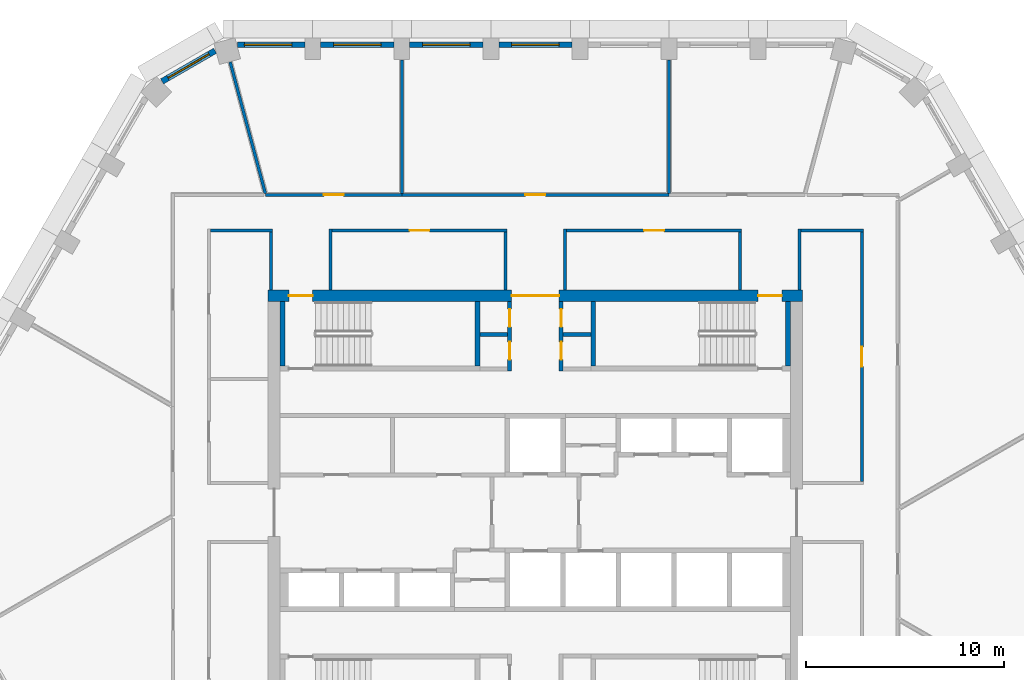
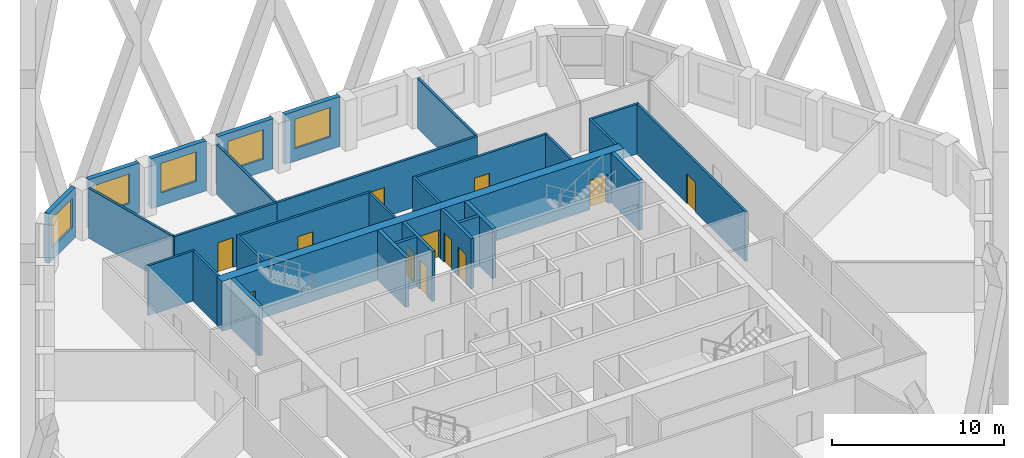
# One storey, part 6 of 16: 30 walls, 12 doors, 5 windows, 17 openings.
"""IFC4 building model written with IfcOpenShell, lengths in metres."""

from ifc_helpers import new_model, si_unit, direction, frame, frame_2d, origin, place, context, subcontext, project, spatial, rectangle, extrude, material, layer, layer_set, type_object, element, fill, save


model = new_model("IFC4")

# Units and contexts
model_context = context("Model", 3, precision=1e-05, world=origin(), true_north=direction((0.0, 1.0)))
body_context = subcontext(model_context, "Body", "Model", "MODEL_VIEW")
ifc_project = project(units=[si_unit("LENGTHUNIT", "METRE"), si_unit("AREAUNIT", "SQUARE_METRE"), si_unit("VOLUMEUNIT", "CUBIC_METRE"), si_unit("PLANEANGLEUNIT", "RADIAN"), si_unit("MASSUNIT", "GRAM", prefix="KILO")], contexts=[model_context])

# Site, building, storey
site_placement = place(None, origin())
site = spatial("IfcSite", under=ifc_project, at=site_placement, CompositionType="ELEMENT")
building_placement = place(site_placement, origin())
building = spatial("IfcBuilding", under=site, at=building_placement, Name="Dhurran Vertical Campus", CompositionType="ELEMENT")
storey_placement = place(building_placement, frame((0.0, 0.0, 183.89990234375)))
storey = spatial("IfcBuildingStorey", under=building, at=storey_placement, Name="L45", CompositionType="ELEMENT", Elevation=183.89990234375)

# Wall, opening, window
ifc_material_1 = material(Name="Precast concrete C50/60", Category="concrete")
ifc_layer_1 = layer(ifc_material_1, 0.300048828125)
ifc_layer_set_1 = layer_set([ifc_layer_1], Name="Precast concrete C50/60")
wall_type_1 = type_object("IfcWallType", Name="Precast spandrel wall 300", PredefinedType="SOLIDWALL", material=ifc_layer_set_1)
wall_1_placement = place(storey_placement, frame((1.849609375, 23.635498046875, 0.0), z_axis=(0.0, 0.0, 1.0), x_axis=(-1.0, 0.0, 0.0)))
wall_1 = element("IfcWall", 1, at=wall_1_placement, inside=storey, type_object=wall_type_1, Name="EW1 L45.23", PredefinedType="SOLIDWALL", context=body_context, shape_type="SweptSolid", body=[
    extrude(rectangle(XDim=3.69921875, YDim=0.300048828125, at=frame_2d((1.849609375, 0.0))), origin(), (0.0, 0.0, 1.0), 3.550048828125),
])
opening_1_placement = place(wall_1_placement, frame((0.6494140625, 0.0, 0.89990234375)))
opening_1 = element("IfcOpeningElement", 2, at=opening_1_placement, cuts=wall_1, Name="Opening WT1", PredefinedType="OPENING", context=body_context, shape_type="SweptSolid", body=[
    extrude(rectangle(XDim=2.39990234375, YDim=2.10009765625, at=frame_2d((1.199951171875, 1.050048828125))), frame((0.0, 0.159912109375, 0.0), z_axis=(0.0, -1.0, 0.0), x_axis=(1.0, 0.0, 0.0)), (0.0, 0.0, 1.0), 0.320068359375),
])
ifc_material_2 = material(Name="Aluminium frame with solar-control glass", Category="aluminium")
window_type = type_object("IfcWindowType", Name="Punched window 2400 x 2100", PartitioningType="SINGLE_PANEL", PredefinedType="WINDOW", material=ifc_material_2)
window_1_placement = place(opening_1_placement, origin())
window_1 = element("IfcWindow", 3, at=window_1_placement, inside=storey, type_object=window_type, Name="WT1 L45.23", OverallHeight=2.10009765625, OverallWidth=2.39990234375, PartitioningType="SINGLE_PANEL", PredefinedType="WINDOW", context=body_context, shape_type="SweptSolid", body=[
    extrude(rectangle(XDim=2.39990234375, YDim=2.10009765625, at=frame_2d((1.199951171875, 1.050048828125))), frame((0.0, 0.030029296875, 0.0), z_axis=(0.0, -1.0, 0.0), x_axis=(1.0, 0.0, 0.0)), (0.0, 0.0, 1.0), 0.06005859375),
])
fill(opening_1, window_1)

wall_2_placement = place(storey_placement, frame((-2.650390625, 23.635498046875, 0.0), z_axis=(0.0, 0.0, 1.0), x_axis=(-1.0, 0.0, 0.0)))
wall_2 = element("IfcWall", 4, at=wall_2_placement, inside=storey, type_object=wall_type_1, Name="EW1 L45.24", PredefinedType="SOLIDWALL", context=body_context, shape_type="SweptSolid", body=[
    extrude(rectangle(XDim=3.69921875, YDim=0.300048828125, at=frame_2d((1.849609375, 0.0))), origin(), (0.0, 0.0, 1.0), 3.550048828125),
])
opening_2_placement = place(wall_2_placement, frame((0.6494140625, 0.0, 0.89990234375)))
opening_2 = element("IfcOpeningElement", 5, at=opening_2_placement, cuts=wall_2, Name="Opening WT1", PredefinedType="OPENING", context=body_context, shape_type="SweptSolid", body=[
    extrude(rectangle(XDim=2.39990234375, YDim=2.10009765625, at=frame_2d((1.199951171875, 1.050048828125))), frame((0.0, 0.159912109375, 0.0), z_axis=(0.0, -1.0, 0.0), x_axis=(1.0, 0.0, 0.0)), (0.0, 0.0, 1.0), 0.320068359375),
])
window_2_placement = place(opening_2_placement, origin())
window_2 = element("IfcWindow", 6, at=window_2_placement, inside=storey, type_object=window_type, Name="WT1 L45.24", OverallHeight=2.10009765625, OverallWidth=2.39990234375, PartitioningType="SINGLE_PANEL", PredefinedType="WINDOW", context=body_context, shape_type="SweptSolid", body=[
    extrude(rectangle(XDim=2.39990234375, YDim=2.10009765625, at=frame_2d((1.199951171875, 1.050048828125))), frame((0.0, 0.030029296875, 0.0), z_axis=(0.0, -1.0, 0.0), x_axis=(1.0, 0.0, 0.0)), (0.0, 0.0, 1.0), 0.06005859375),
])
fill(opening_2, window_2)

wall_3_placement = place(storey_placement, frame((-7.150390625, 23.635498046875, 0.0), z_axis=(0.0, 0.0, 1.0), x_axis=(-1.0, 0.0, 0.0)))
wall_3 = element("IfcWall", 7, at=wall_3_placement, inside=storey, type_object=wall_type_1, Name="EW1 L45.25", PredefinedType="SOLIDWALL", context=body_context, shape_type="SweptSolid", body=[
    extrude(rectangle(XDim=3.69921875, YDim=0.300048828125, at=frame_2d((1.849609375, 0.0))), origin(), (0.0, 0.0, 1.0), 3.550048828125),
])
opening_3_placement = place(wall_3_placement, frame((0.6494140625, 0.0, 0.89990234375)))
opening_3 = element("IfcOpeningElement", 8, at=opening_3_placement, cuts=wall_3, Name="Opening WT1", PredefinedType="OPENING", context=body_context, shape_type="SweptSolid", body=[
    extrude(rectangle(XDim=2.39990234375, YDim=2.10009765625, at=frame_2d((1.199951171875, 1.050048828125))), frame((0.0, 0.159912109375, 0.0), z_axis=(0.0, -1.0, 0.0), x_axis=(1.0, 0.0, 0.0)), (0.0, 0.0, 1.0), 0.320068359375),
])
window_3_placement = place(opening_3_placement, origin())
window_3 = element("IfcWindow", 9, at=window_3_placement, inside=storey, type_object=window_type, Name="WT1 L45.25", OverallHeight=2.10009765625, OverallWidth=2.39990234375, PartitioningType="SINGLE_PANEL", PredefinedType="WINDOW", context=body_context, shape_type="SweptSolid", body=[
    extrude(rectangle(XDim=2.39990234375, YDim=2.10009765625, at=frame_2d((1.199951171875, 1.050048828125))), frame((0.0, 0.030029296875, 0.0), z_axis=(0.0, -1.0, 0.0), x_axis=(1.0, 0.0, 0.0)), (0.0, 0.0, 1.0), 0.06005859375),
])
fill(opening_3, window_3)

wall_4_placement = place(storey_placement, frame((-11.650390625, 23.635498046875, 0.0), z_axis=(0.0, 0.0, 1.0), x_axis=(-1.0, 0.0, 0.0)))
wall_4 = element("IfcWall", 10, at=wall_4_placement, inside=storey, type_object=wall_type_1, Name="EW1 L45.26", PredefinedType="SOLIDWALL", context=body_context, shape_type="SweptSolid", body=[
    extrude(rectangle(XDim=3.39599609375, YDim=0.300048828125, at=frame_2d((1.697998046875, 0.0))), origin(), (0.0, 0.0, 1.0), 3.550048828125),
])
opening_4_placement = place(wall_4_placement, frame((0.6494140625, 0.0, 0.89990234375)))
opening_4 = element("IfcOpeningElement", 11, at=opening_4_placement, cuts=wall_4, Name="Opening WT1", PredefinedType="OPENING", context=body_context, shape_type="SweptSolid", body=[
    extrude(rectangle(XDim=2.39990234375, YDim=2.10009765625, at=frame_2d((1.199951171875, 1.050048828125))), frame((0.0, 0.159912109375, 0.0), z_axis=(0.0, -1.0, 0.0), x_axis=(1.0, 0.0, 0.0)), (0.0, 0.0, 1.0), 0.320068359375),
])
window_4_placement = place(opening_4_placement, origin())
window_4 = element("IfcWindow", 12, at=window_4_placement, inside=storey, type_object=window_type, Name="WT1 L45.26", OverallHeight=2.10009765625, OverallWidth=2.39990234375, PartitioningType="SINGLE_PANEL", PredefinedType="WINDOW", context=body_context, shape_type="SweptSolid", body=[
    extrude(rectangle(XDim=2.39990234375, YDim=2.10009765625, at=frame_2d((1.199951171875, 1.050048828125))), frame((0.0, 0.030029296875, 0.0), z_axis=(0.0, -1.0, 0.0), x_axis=(1.0, 0.0, 0.0)), (0.0, 0.0, 1.0), 0.06005859375),
])
fill(opening_4, window_4)

wall_5_placement = place(storey_placement, frame((-16.184326171875, 23.330810546875, 0.0), z_axis=(0.0, 0.0, 1.0), x_axis=(-0.865994975416, -0.500052699777, 0.0)))
wall_5 = element("IfcWall", 13, at=wall_5_placement, inside=storey, type_object=wall_type_1, Name="EW1 L45.27", PredefinedType="SOLIDWALL", context=body_context, shape_type="SweptSolid", body=[
    extrude(rectangle(XDim=3.093017578125, YDim=0.300048828125, at=frame_2d((1.54638671875, 0.0))), origin(), (0.0, 0.0, 1.0), 3.550048828125),
])
opening_5_placement = place(wall_5_placement, frame((0.346435546875, 0.0, 0.89990234375)))
opening_5 = element("IfcOpeningElement", 14, at=opening_5_placement, cuts=wall_5, Name="Opening WT1", PredefinedType="OPENING", context=body_context, shape_type="SweptSolid", body=[
    extrude(rectangle(XDim=2.39990234375, YDim=2.10009765625, at=frame_2d((1.199951171875, 1.050048828125))), frame((0.0, 0.159912109375, 0.0), z_axis=(0.0, -1.0, 0.0), x_axis=(1.0, 0.0, 0.0)), (0.0, 0.0, 1.0), 0.320068359375),
])
window_5_placement = place(opening_5_placement, origin())
window_5 = element("IfcWindow", 15, at=window_5_placement, inside=storey, type_object=window_type, Name="WT1 L45.27", OverallHeight=2.10009765625, OverallWidth=2.39990234375, PartitioningType="SINGLE_PANEL", PredefinedType="WINDOW", context=body_context, shape_type="SweptSolid", body=[
    extrude(rectangle(XDim=2.39990234375, YDim=2.10009765625, at=frame_2d((1.199951171875, 1.050048828125))), frame((0.0, 0.030029296875, 0.0), z_axis=(0.0, -1.0, 0.0), x_axis=(1.0, 0.0, 0.0)), (0.0, 0.0, 1.0), 0.06005859375),
])
fill(opening_5, window_5)

# Wall, openings, doors
ifc_material_3 = material(Name="Concrete C50/60", Category="concrete")
ifc_layer_2 = layer(ifc_material_3, 0.60009765625)
ifc_layer_set_2 = layer_set([ifc_layer_2], Name="Concrete C50/60")
wall_type_2 = type_object("IfcWallType", Name="co-CORE-WALL-C2-600", PredefinedType="SHEAR", material=ifc_layer_set_2)
wall_6_placement = place(storey_placement, frame((-13.5, 10.949951171875, 0.0), z_axis=(0.0, 0.0, 1.0), x_axis=(1.0, 0.0, 0.0)))
wall_6 = element("IfcWall", 16, at=wall_6_placement, inside=storey, type_object=wall_type_2, Name="Core wall N L45", PredefinedType="SHEAR", context=body_context, shape_type="SweptSolid", body=[
    extrude(rectangle(XDim=27.0, YDim=0.60009765625, at=frame_2d((13.5, 0.0))), origin(), (0.0, 0.0, 1.0), 3.550048828125),
])
opening_6_placement = place(wall_6_placement, frame((12.300048828125, 0.0, 0.0)))
opening_6 = element("IfcOpeningElement", 17, at=opening_6_placement, cuts=wall_6, Name="Opening CV1", PredefinedType="OPENING", context=body_context, shape_type="SweptSolid", body=[
    extrude(rectangle(XDim=2.39990234375, YDim=2.10009765625, at=frame_2d((1.199951171875, 1.050048828125))), frame((0.0, 0.31005859375, 0.0), z_axis=(0.0, -1.0, 0.0), x_axis=(1.0, 0.0, 0.0)), (0.0, 0.0, 1.0), 0.6201171875),
])
opening_7_placement = place(wall_6_placement, frame((1.050048828125, 0.0, 0.0)))
opening_7 = element("IfcOpeningElement", 18, at=opening_7_placement, cuts=wall_6, Name="Opening XD1", PredefinedType="OPENING", context=body_context, shape_type="SweptSolid", body=[
    extrude(rectangle(XDim=1.199951171875, YDim=2.10009765625, at=frame_2d((0.60009765625, 1.050048828125))), frame((0.0, 0.31005859375, 0.0), z_axis=(0.0, -1.0, 0.0), x_axis=(1.0, 0.0, 0.0)), (0.0, 0.0, 1.0), 0.6201171875),
])
opening_8_placement = place(wall_6_placement, frame((24.75, 0.0, 0.0)))
opening_8 = element("IfcOpeningElement", 19, at=opening_8_placement, cuts=wall_6, Name="Opening XD2", PredefinedType="OPENING", context=body_context, shape_type="SweptSolid", body=[
    extrude(rectangle(XDim=1.199951171875, YDim=2.10009765625, at=frame_2d((0.60009765625, 1.050048828125))), frame((0.0, 0.31005859375, 0.0), z_axis=(0.0, -1.0, 0.0), x_axis=(1.0, 0.0, 0.0)), (0.0, 0.0, 1.0), 0.6201171875),
])
ifc_material_4 = material(Name="Fire-rated glazed door set")
door_type_1 = type_object("IfcDoorType", Name="co-D-LOBBY 2400x2100", OperationType="DOUBLE_DOOR_DOUBLE_SWING", PredefinedType="DOOR", material=ifc_material_4)
door_1_placement = place(opening_6_placement, origin())
door_1 = element("IfcDoor", 20, at=door_1_placement, inside=storey, type_object=door_type_1, Name="Core vestibule door N L45", OperationType="DOUBLE_DOOR_DOUBLE_SWING", OverallHeight=2.10009765625, OverallWidth=2.39990234375, PredefinedType="DOOR", context=body_context, shape_type="SweptSolid", body=[
    extrude(rectangle(XDim=2.39990234375, YDim=2.10009765625, at=frame_2d((1.199951171875, 1.050048828125))), frame((0.0, 0.02490234375, 0.0), z_axis=(0.0, -1.0, 0.0), x_axis=(1.0, 0.0, 0.0)), (0.0, 0.0, 1.0), 0.050048828125),
])
fill(opening_6, door_1)
ifc_material_5 = material(Name="Fire-rated steel door set", Category="steel")
door_type_2 = type_object("IfcDoorType", Name="co-D-STAIR-EXIT 1200x2100", OperationType="SINGLE_SWING_RIGHT", PredefinedType="DOOR", material=ifc_material_5)
door_2_placement = place(opening_7_placement, origin())
door_2 = element("IfcDoor", 21, at=door_2_placement, inside=storey, type_object=door_type_2, Name="Stair ST1 exit door L45", OperationType="SINGLE_SWING_RIGHT", OverallHeight=2.10009765625, OverallWidth=1.199951171875, PredefinedType="DOOR", context=body_context, shape_type="SweptSolid", body=[
    extrude(rectangle(XDim=1.199951171875, YDim=2.10009765625, at=frame_2d((0.60009765625, 1.050048828125))), frame((0.0, 0.02490234375, 0.0), z_axis=(0.0, -1.0, 0.0), x_axis=(1.0, 0.0, 0.0)), (0.0, 0.0, 1.0), 0.050048828125),
])
fill(opening_7, door_2)
door_3_placement = place(opening_8_placement, origin())
door_3 = element("IfcDoor", 22, at=door_3_placement, inside=storey, type_object=door_type_2, Name="Stair ST2 exit door L45", OperationType="SINGLE_SWING_RIGHT", OverallHeight=2.10009765625, OverallWidth=1.199951171875, PredefinedType="DOOR", context=body_context, shape_type="SweptSolid", body=[
    extrude(rectangle(XDim=1.199951171875, YDim=2.10009765625, at=frame_2d((0.60009765625, 1.050048828125))), frame((0.0, 0.02490234375, 0.0), z_axis=(0.0, -1.0, 0.0), x_axis=(1.0, 0.0, 0.0)), (0.0, 0.0, 1.0), 0.050048828125),
])
fill(opening_8, door_3)

# Walls
ifc_material_6 = material(Name="Fire-rated masonry blockwork", Category="masonry")
ifc_layer_3 = layer(ifc_material_6, 0.199951171875)
ifc_layer_set_3 = layer_set([ifc_layer_3], Name="Fire-rated masonry blockwork")
wall_type_3 = type_object("IfcWallType", Name="co-FIRE-PARTITION-200", PredefinedType="PARTITIONING", material=ifc_layer_set_3)
for number, where, z_axis, x_axis, name in (
    (23, (-2.800048828125, 9.0, 0.0), (0.0, 0.0, 1.0), (1.0, 0.0, 0.0), "Core partition sl-NW-cut0 L45"),
    (24, (1.39990234375, 9.0, 0.0), (0.0, 0.0, 1.0), (1.0, 0.0, 0.0), "Core partition sl-NE-cut0 L45"),
):
    element("IfcWall", number, at=place(storey_placement, frame(where, z_axis=z_axis, x_axis=x_axis)), inside=storey, type_object=wall_type_3, Name=name, PredefinedType="PARTITIONING", context=body_context, shape_type="SweptSolid", body=[
        extrude(rectangle(XDim=1.400146484375, YDim=0.199951171875, at=frame_2d((0.7001953125, 0.0))), origin(), (0.0, 0.0, 1.0), 3.550048828125),
    ])

# Wall, openings, doors
wall_7_placement = place(storey_placement, frame((-1.300048828125, 7.14990234375, 0.0), z_axis=(0.0, 0.0, 1.0), x_axis=(0.0, 1.0, 0.0)))
wall_7 = element("IfcWall", 25, at=wall_7_placement, inside=storey, type_object=wall_type_3, Name="Core partition vest-NW L45", PredefinedType="PARTITIONING", context=body_context, shape_type="SweptSolid", body=[
    extrude(rectangle(XDim=3.5, YDim=0.199951171875, at=frame_2d((1.75, 0.0))), origin(), (0.0, 0.0, 1.0), 3.550048828125),
])
opening_9_placement = place(wall_7_placement, frame((0.574951171875, 0.0, 0.0)))
opening_9 = element("IfcOpeningElement", 26, at=opening_9_placement, cuts=wall_7, Name="Opening T13-C4", PredefinedType="OPENING", context=body_context, shape_type="SweptSolid", body=[
    extrude(rectangle(XDim=0.89990234375, YDim=2.10009765625, at=frame_2d((0.449951171875, 1.050048828125))), frame((0.0, 0.10986328125, 0.0), z_axis=(0.0, -1.0, 0.0), x_axis=(1.0, 0.0, 0.0)), (0.0, 0.0, 1.0), 0.219970703125),
])
opening_10_placement = place(wall_7_placement, frame((2.22509765625, 0.0, 0.0)))
opening_10 = element("IfcOpeningElement", 27, at=opening_10_placement, cuts=wall_7, Name="Opening T13-C5", PredefinedType="OPENING", context=body_context, shape_type="SweptSolid", body=[
    extrude(rectangle(XDim=0.89990234375, YDim=2.10009765625, at=frame_2d((0.449951171875, 1.050048828125))), frame((0.0, 0.10986328125, 0.0), z_axis=(0.0, -1.0, 0.0), x_axis=(1.0, 0.0, 0.0)), (0.0, 0.0, 1.0), 0.219970703125),
])
ifc_material_7 = material(Name="Fire-rated timber door set", Category="wood")
door_type_3 = type_object("IfcDoorType", Name="co-D-ROOM 900x2100", OperationType="SINGLE_SWING_LEFT", PredefinedType="DOOR", material=ifc_material_7)
door_4_placement = place(opening_9_placement, origin())
door_4 = element("IfcDoor", 28, at=door_4_placement, inside=storey, type_object=door_type_3, Name="Store door L45", OperationType="SINGLE_SWING_LEFT", OverallHeight=2.10009765625, OverallWidth=0.89990234375, PredefinedType="DOOR", context=body_context, shape_type="SweptSolid", body=[
    extrude(rectangle(XDim=0.89990234375, YDim=2.10009765625, at=frame_2d((0.449951171875, 1.050048828125))), frame((0.0, 0.02490234375, 0.0), z_axis=(0.0, -1.0, 0.0), x_axis=(1.0, 0.0, 0.0)), (0.0, 0.0, 1.0), 0.050048828125),
])
fill(opening_9, door_4)
door_5_placement = place(opening_10_placement, origin())
door_5 = element("IfcDoor", 29, at=door_5_placement, inside=storey, type_object=door_type_3, Name="Housekeeping store door L45", OperationType="SINGLE_SWING_LEFT", OverallHeight=2.10009765625, OverallWidth=0.89990234375, PredefinedType="DOOR", context=body_context, shape_type="SweptSolid", body=[
    extrude(rectangle(XDim=0.89990234375, YDim=2.10009765625, at=frame_2d((0.449951171875, 1.050048828125))), frame((0.0, 0.02490234375, 0.0), z_axis=(0.0, -1.0, 0.0), x_axis=(1.0, 0.0, 0.0)), (0.0, 0.0, 1.0), 0.050048828125),
])
fill(opening_10, door_5)

wall_8_placement = place(storey_placement, frame((1.300048828125, 7.14990234375, 0.0), z_axis=(0.0, 0.0, 1.0), x_axis=(0.0, 1.0, 0.0)))
wall_8 = element("IfcWall", 30, at=wall_8_placement, inside=storey, type_object=wall_type_3, Name="Core partition vest-NE L45", PredefinedType="PARTITIONING", context=body_context, shape_type="SweptSolid", body=[
    extrude(rectangle(XDim=3.5, YDim=0.199951171875, at=frame_2d((1.75, 0.0))), origin(), (0.0, 0.0, 1.0), 3.550048828125),
])
opening_11_placement = place(wall_8_placement, frame((0.574951171875, 0.0, 0.0)))
opening_11 = element("IfcOpeningElement", 31, at=opening_11_placement, cuts=wall_8, Name="Opening T13-C6", PredefinedType="OPENING", context=body_context, shape_type="SweptSolid", body=[
    extrude(rectangle(XDim=0.89990234375, YDim=2.10009765625, at=frame_2d((0.449951171875, 1.050048828125))), frame((0.0, 0.10986328125, 0.0), z_axis=(0.0, -1.0, 0.0), x_axis=(1.0, 0.0, 0.0)), (0.0, 0.0, 1.0), 0.219970703125),
])
opening_12_placement = place(wall_8_placement, frame((2.22509765625, 0.0, 0.0)))
opening_12 = element("IfcOpeningElement", 32, at=opening_12_placement, cuts=wall_8, Name="Opening T13-C7", PredefinedType="OPENING", context=body_context, shape_type="SweptSolid", body=[
    extrude(rectangle(XDim=0.89990234375, YDim=2.10009765625, at=frame_2d((0.449951171875, 1.050048828125))), frame((0.0, 0.10986328125, 0.0), z_axis=(0.0, -1.0, 0.0), x_axis=(1.0, 0.0, 0.0)), (0.0, 0.0, 1.0), 0.219970703125),
])
door_6_placement = place(opening_11_placement, origin())
door_6 = element("IfcDoor", 33, at=door_6_placement, inside=storey, type_object=door_type_3, Name="Fire equipment store door L45", OperationType="SINGLE_SWING_LEFT", OverallHeight=2.10009765625, OverallWidth=0.89990234375, PredefinedType="DOOR", context=body_context, shape_type="SweptSolid", body=[
    extrude(rectangle(XDim=0.89990234375, YDim=2.10009765625, at=frame_2d((0.449951171875, 1.050048828125))), frame((0.0, 0.02490234375, 0.0), z_axis=(0.0, -1.0, 0.0), x_axis=(1.0, 0.0, 0.0)), (0.0, 0.0, 1.0), 0.050048828125),
])
fill(opening_11, door_6)
door_7_placement = place(opening_12_placement, origin())
door_7 = element("IfcDoor", 34, at=door_7_placement, inside=storey, type_object=door_type_3, Name="Plant room door L45", OperationType="SINGLE_SWING_LEFT", OverallHeight=2.10009765625, OverallWidth=0.89990234375, PredefinedType="DOOR", context=body_context, shape_type="SweptSolid", body=[
    extrude(rectangle(XDim=0.89990234375, YDim=2.10009765625, at=frame_2d((0.449951171875, 1.050048828125))), frame((0.0, 0.02490234375, 0.0), z_axis=(0.0, -1.0, 0.0), x_axis=(1.0, 0.0, 0.0)), (0.0, 0.0, 1.0), 0.050048828125),
])
fill(opening_12, door_7)

# Walls
ifc_material_8 = material(Name="Concrete C40/50", Category="concrete")
ifc_layer_4 = layer(ifc_material_8, 0.25)
ifc_layer_set_4 = layer_set([ifc_layer_4], Name="Concrete C40/50")
wall_type_4 = type_object("IfcWallType", Name="co-STAIR-WALL-250", PredefinedType="SHEAR", material=ifc_layer_set_4)
for number, where, z_axis, x_axis, name in (
    (35, (-12.77490234375, 7.39990234375, 0.0), (0.0, 0.0, 1.0), (0.0, 1.0, 0.0), "Stair ST1 enclosure wall L45"),
    (36, (-2.925048828125, 7.39990234375, 0.0), (0.0, 0.0, 1.0), (0.0, 1.0, 0.0), "Stair ST1 enclosure wall L45"),
    (37, (2.925048828125, 7.39990234375, 0.0), (0.0, 0.0, 1.0), (0.0, 1.0, 0.0), "Stair ST2 enclosure wall L45"),
    (38, (12.77490234375, 7.39990234375, 0.0), (0.0, 0.0, 1.0), (0.0, 1.0, 0.0), "Stair ST2 enclosure wall L45"),
):
    element("IfcWall", number, at=place(storey_placement, frame(where, z_axis=z_axis, x_axis=x_axis)), inside=storey, type_object=wall_type_4, Name=name, PredefinedType="SHEAR", context=body_context, shape_type="SweptSolid", body=[
        extrude(rectangle(XDim=3.25, YDim=0.25, at=frame_2d((1.625, 0.0))), origin(), (0.0, 0.0, 1.0), 3.550048828125),
    ])
ifc_material_9 = material(Name="Gypsum board corridor wall on steel studs", Category="steel")
ifc_layer_5 = layer(ifc_material_9, 0.14990234375)
ifc_layer_set_5 = layer_set([ifc_layer_5], Name="Gypsum board corridor wall on steel studs")
wall_type_5 = type_object("IfcWallType", Name="fl-CW-150 corridor wall", PredefinedType="PARTITIONING", material=ifc_layer_set_5)
wall_9_placement = place(storey_placement, frame((-16.425048828125, 14.25, 0.0), z_axis=(0.0, 0.0, 1.0), x_axis=(1.0, 0.0, 0.0)))
element("IfcWall", 39, at=wall_9_placement, inside=storey, type_object=wall_type_5, Name="Partition 45-18", PredefinedType="PARTITIONING", context=body_context, shape_type="SweptSolid", body=[
    extrude(rectangle(XDim=3.150146484375, YDim=0.14990234375, at=frame_2d((1.5751953125, 0.0))), origin(), (0.0, 0.0, 1.0), 3.550048828125),
])

# Wall, opening, door
wall_10_placement = place(storey_placement, frame((-6.75, 16.050048828125, 0.0), z_axis=(0.0, 0.0, 1.0), x_axis=(-1.0, 0.0, 0.0)))
wall_10 = element("IfcWall", 40, at=wall_10_placement, inside=storey, type_object=wall_type_5, Name="Partition 45-21", PredefinedType="PARTITIONING", context=body_context, shape_type="SweptSolid", body=[
    extrude(rectangle(XDim=6.8740234375, YDim=0.14990234375, at=frame_2d((3.43701171875, 0.0))), origin(), (0.0, 0.0, 1.0), 3.550048828125),
])
opening_13_placement = place(wall_10_placement, frame((2.93701171875, 0.0, 0.0)))
opening_13 = element("IfcOpeningElement", 41, at=opening_13_placement, cuts=wall_10, Name="Opening T13.09", PredefinedType="OPENING", context=body_context, shape_type="SweptSolid", body=[
    extrude(rectangle(XDim=1.0, YDim=2.10009765625, at=frame_2d((0.5, 1.050048828125))), frame((0.0, 0.0849609375, 0.0), z_axis=(0.0, -1.0, 0.0), x_axis=(1.0, 0.0, 0.0)), (0.0, 0.0, 1.0), 0.169921875),
])
ifc_material_10 = material(Name="Solid-core timber door set, fire-rated", Category="wood")
door_type_4 = type_object("IfcDoorType", Name="fl-D-1000x2100", OperationType="SINGLE_SWING_LEFT", PredefinedType="DOOR", material=ifc_material_10)
door_8_placement = place(opening_13_placement, origin())
door_8 = element("IfcDoor", 42, at=door_8_placement, inside=storey, type_object=door_type_4, Name="Door 45.09", OperationType="SINGLE_SWING_RIGHT", OverallHeight=2.10009765625, OverallWidth=1.0, PredefinedType="DOOR", context=body_context, shape_type="SweptSolid", body=[
    extrude(rectangle(XDim=1.0, YDim=2.10009765625, at=frame_2d((0.5, 1.050048828125))), frame((0.0, 0.02490234375, 0.0), z_axis=(0.0, -1.0, 0.0), x_axis=(1.0, 0.0, 0.0)), (0.0, 0.0, 1.0), 0.050048828125),
])
fill(opening_13, door_8)

# Walls
wall_11_placement = place(storey_placement, frame((-13.35009765625, 14.175048828125, 0.0), z_axis=(0.0, 0.0, 1.0), x_axis=(0.0, -1.0, 0.0)))
element("IfcWall", 43, at=wall_11_placement, inside=storey, type_object=wall_type_5, Name="Partition 45-23", PredefinedType="PARTITIONING", context=body_context, shape_type="SweptSolid", body=[
    extrude(rectangle(XDim=2.925048828125, YDim=0.14990234375, at=frame_2d((1.46240234375, 0.0))), origin(), (0.0, 0.0, 1.0), 3.550048828125),
])
wall_12_placement = place(storey_placement, frame((-10.35009765625, 11.25, 0.0), z_axis=(0.0, 0.0, 1.0), x_axis=(0.0, 1.0, 0.0)))
element("IfcWall", 44, at=wall_12_placement, inside=storey, type_object=wall_type_5, Name="Partition 45-28", PredefinedType="PARTITIONING", context=body_context, shape_type="SweptSolid", body=[
    extrude(rectangle(XDim=3.074951171875, YDim=0.14990234375, at=frame_2d((1.53759765625, 0.0))), origin(), (0.0, 0.0, 1.0), 3.550048828125),
])

# Wall, opening, door
wall_13_placement = place(storey_placement, frame((-10.27490234375, 14.25, 0.0), z_axis=(0.0, 0.0, 1.0), x_axis=(1.0, 0.0, 0.0)))
wall_13 = element("IfcWall", 45, at=wall_13_placement, inside=storey, type_object=wall_type_5, Name="Partition 45-29", PredefinedType="PARTITIONING", context=body_context, shape_type="SweptSolid", body=[
    extrude(rectangle(XDim=8.849853515625, YDim=0.14990234375, at=frame_2d((4.4248046875, 0.0))), origin(), (0.0, 0.0, 1.0), 3.550048828125),
])
opening_14_placement = place(wall_13_placement, frame((3.925048828125, 0.0, 0.0)))
opening_14 = element("IfcOpeningElement", 46, at=opening_14_placement, cuts=wall_13, Name="Opening T13.11", PredefinedType="OPENING", context=body_context, shape_type="SweptSolid", body=[
    extrude(rectangle(XDim=1.0, YDim=2.10009765625, at=frame_2d((0.5, 1.050048828125))), frame((0.0, 0.0849609375, 0.0), z_axis=(0.0, -1.0, 0.0), x_axis=(1.0, 0.0, 0.0)), (0.0, 0.0, 1.0), 0.169921875),
])
door_9_placement = place(opening_14_placement, origin())
door_9 = element("IfcDoor", 47, at=door_9_placement, inside=storey, type_object=door_type_4, Name="Door 45.11", OperationType="SINGLE_SWING_LEFT", OverallHeight=2.10009765625, OverallWidth=1.0, PredefinedType="DOOR", context=body_context, shape_type="SweptSolid", body=[
    extrude(rectangle(XDim=1.0, YDim=2.10009765625, at=frame_2d((0.5, 1.050048828125))), frame((0.0, 0.02490234375, 0.0), z_axis=(0.0, -1.0, 0.0), x_axis=(1.0, 0.0, 0.0)), (0.0, 0.0, 1.0), 0.050048828125),
])
fill(opening_14, door_9)

wall_14_placement = place(storey_placement, frame((6.75, 16.050048828125, 0.0), z_axis=(0.0, 0.0, 1.0), x_axis=(-1.0, 0.0, 0.0)))
wall_14 = element("IfcWall", 48, at=wall_14_placement, inside=storey, type_object=wall_type_5, Name="Partition 45-31", PredefinedType="PARTITIONING", context=body_context, shape_type="SweptSolid", body=[
    extrude(rectangle(XDim=13.5, YDim=0.14990234375, at=frame_2d((6.75, 0.0))), origin(), (0.0, 0.0, 1.0), 3.550048828125),
])
opening_15_placement = place(wall_14_placement, frame((6.25, 0.0, 0.0)))
opening_15 = element("IfcOpeningElement", 49, at=opening_15_placement, cuts=wall_14, Name="Opening T13.13", PredefinedType="OPENING", context=body_context, shape_type="SweptSolid", body=[
    extrude(rectangle(XDim=1.0, YDim=2.10009765625, at=frame_2d((0.5, 1.050048828125))), frame((0.0, 0.0849609375, 0.0), z_axis=(0.0, -1.0, 0.0), x_axis=(1.0, 0.0, 0.0)), (0.0, 0.0, 1.0), 0.169921875),
])
door_10_placement = place(opening_15_placement, origin())
door_10 = element("IfcDoor", 50, at=door_10_placement, inside=storey, type_object=door_type_4, Name="Door 45.13", OperationType="SINGLE_SWING_LEFT", OverallHeight=2.10009765625, OverallWidth=1.0, PredefinedType="DOOR", context=body_context, shape_type="SweptSolid", body=[
    extrude(rectangle(XDim=1.0, YDim=2.10009765625, at=frame_2d((0.5, 1.050048828125))), frame((0.0, 0.02490234375, 0.0), z_axis=(0.0, -1.0, 0.0), x_axis=(1.0, 0.0, 0.0)), (0.0, 0.0, 1.0), 0.050048828125),
])
fill(opening_15, door_10)

# Walls
wall_15_placement = place(storey_placement, frame((-1.5, 14.175048828125, 0.0), z_axis=(0.0, 0.0, 1.0), x_axis=(0.0, -1.0, 0.0)))
element("IfcWall", 51, at=wall_15_placement, inside=storey, type_object=wall_type_5, Name="Partition 45-33", PredefinedType="PARTITIONING", context=body_context, shape_type="SweptSolid", body=[
    extrude(rectangle(XDim=2.925048828125, YDim=0.14990234375, at=frame_2d((1.46240234375, 0.0))), origin(), (0.0, 0.0, 1.0), 3.550048828125),
])
wall_16_placement = place(storey_placement, frame((1.5, 11.25, 0.0), z_axis=(0.0, 0.0, 1.0), x_axis=(0.0, 1.0, 0.0)))
element("IfcWall", 52, at=wall_16_placement, inside=storey, type_object=wall_type_5, Name="Partition 45-36", PredefinedType="PARTITIONING", context=body_context, shape_type="SweptSolid", body=[
    extrude(rectangle(XDim=3.074951171875, YDim=0.14990234375, at=frame_2d((1.53759765625, 0.0))), origin(), (0.0, 0.0, 1.0), 3.550048828125),
])

# Wall, opening, door
wall_17_placement = place(storey_placement, frame((1.574951171875, 14.25, 0.0), z_axis=(0.0, 0.0, 1.0), x_axis=(1.0, 0.0, 0.0)))
wall_17 = element("IfcWall", 53, at=wall_17_placement, inside=storey, type_object=wall_type_5, Name="Partition 45-37", PredefinedType="PARTITIONING", context=body_context, shape_type="SweptSolid", body=[
    extrude(rectangle(XDim=8.85009765625, YDim=0.14990234375, at=frame_2d((4.425048828125, 0.0))), origin(), (0.0, 0.0, 1.0), 3.550048828125),
])
opening_16_placement = place(wall_17_placement, frame((3.925048828125, 0.0, 0.0)))
opening_16 = element("IfcOpeningElement", 54, at=opening_16_placement, cuts=wall_17, Name="Opening T13.15", PredefinedType="OPENING", context=body_context, shape_type="SweptSolid", body=[
    extrude(rectangle(XDim=1.0, YDim=2.10009765625, at=frame_2d((0.5, 1.050048828125))), frame((0.0, 0.0849609375, 0.0), z_axis=(0.0, -1.0, 0.0), x_axis=(1.0, 0.0, 0.0)), (0.0, 0.0, 1.0), 0.169921875),
])
door_11_placement = place(opening_16_placement, origin())
door_11 = element("IfcDoor", 55, at=door_11_placement, inside=storey, type_object=door_type_4, Name="Door 45.15", OperationType="SINGLE_SWING_RIGHT", OverallHeight=2.10009765625, OverallWidth=1.0, PredefinedType="DOOR", context=body_context, shape_type="SweptSolid", body=[
    extrude(rectangle(XDim=1.0, YDim=2.10009765625, at=frame_2d((0.5, 1.050048828125))), frame((0.0, 0.02490234375, 0.0), z_axis=(0.0, -1.0, 0.0), x_axis=(1.0, 0.0, 0.0)), (0.0, 0.0, 1.0), 0.050048828125),
])
fill(opening_16, door_11)

# Walls
wall_18_placement = place(storey_placement, frame((10.35009765625, 14.175048828125, 0.0), z_axis=(0.0, 0.0, 1.0), x_axis=(0.0, -1.0, 0.0)))
element("IfcWall", 56, at=wall_18_placement, inside=storey, type_object=wall_type_5, Name="Partition 45-43", PredefinedType="PARTITIONING", context=body_context, shape_type="SweptSolid", body=[
    extrude(rectangle(XDim=2.925048828125, YDim=0.14990234375, at=frame_2d((1.46240234375, 0.0))), origin(), (0.0, 0.0, 1.0), 3.550048828125),
])
wall_19_placement = place(storey_placement, frame((13.35009765625, 11.25, 0.0), z_axis=(0.0, 0.0, 1.0), x_axis=(0.0, 1.0, 0.0)))
element("IfcWall", 57, at=wall_19_placement, inside=storey, type_object=wall_type_5, Name="Partition 45-46", PredefinedType="PARTITIONING", context=body_context, shape_type="SweptSolid", body=[
    extrude(rectangle(XDim=3.074951171875, YDim=0.14990234375, at=frame_2d((1.53759765625, 0.0))), origin(), (0.0, 0.0, 1.0), 3.550048828125),
])
wall_20_placement = place(storey_placement, frame((13.425048828125, 14.25, 0.0), z_axis=(0.0, 0.0, 1.0), x_axis=(1.0, 0.0, 0.0)))
element("IfcWall", 58, at=wall_20_placement, inside=storey, type_object=wall_type_5, Name="Partition 45-47", PredefinedType="PARTITIONING", context=body_context, shape_type="SweptSolid", body=[
    extrude(rectangle(XDim=3.14990234375, YDim=0.14990234375, at=frame_2d((1.574951171875, 0.0))), origin(), (0.0, 0.0, 1.0), 3.550048828125),
])

# Wall, opening, door
wall_21_placement = place(storey_placement, frame((16.5, 14.175048828125, 0.0), z_axis=(0.0, 0.0, 1.0), x_axis=(0.0, -1.0, 0.0)))
wall_21 = element("IfcWall", 59, at=wall_21_placement, inside=storey, type_object=wall_type_5, Name="Partition 45-55", PredefinedType="PARTITIONING", context=body_context, shape_type="SweptSolid", body=[
    extrude(rectangle(XDim=12.60009765625, YDim=0.14990234375, at=frame_2d((6.300048828125, 0.0))), origin(), (0.0, 0.0, 1.0), 3.550048828125),
])
opening_17_placement = place(wall_21_placement, frame((5.800048828125, 0.0, 0.0)))
opening_17 = element("IfcOpeningElement", 60, at=opening_17_placement, cuts=wall_21, Name="Opening T13.19", PredefinedType="OPENING", context=body_context, shape_type="SweptSolid", body=[
    extrude(rectangle(XDim=1.0, YDim=2.10009765625, at=frame_2d((0.5, 1.050048828125))), frame((0.0, 0.0849609375, 0.0), z_axis=(0.0, -1.0, 0.0), x_axis=(1.0, 0.0, 0.0)), (0.0, 0.0, 1.0), 0.169921875),
])
door_12_placement = place(opening_17_placement, origin())
door_12 = element("IfcDoor", 61, at=door_12_placement, inside=storey, type_object=door_type_4, Name="Door 45.19", OperationType="SINGLE_SWING_RIGHT", OverallHeight=2.10009765625, OverallWidth=1.0, PredefinedType="DOOR", context=body_context, shape_type="SweptSolid", body=[
    extrude(rectangle(XDim=1.0, YDim=2.10009765625, at=frame_2d((0.5, 1.050048828125))), frame((0.0, 0.02490234375, 0.0), z_axis=(0.0, -1.0, 0.0), x_axis=(1.0, 0.0, 0.0)), (0.0, 0.0, 1.0), 0.050048828125),
])
fill(opening_17, door_12)

# Walls
ifc_material_11 = material(Name="Gypsum board partition on steel studs", Category="steel")
ifc_layer_6 = layer(ifc_material_11, 0.14990234375)
ifc_layer_set_6 = layer_set([ifc_layer_6], Name="Gypsum board partition on steel studs")
wall_type_6 = type_object("IfcWallType", Name="fl-PW-150 fixed partition", PredefinedType="PARTITIONING", material=ifc_layer_set_6)
wall_22_placement = place(storey_placement, frame((-15.422119140625, 22.76123046875, 0.0), z_axis=(0.0, 0.0, 1.0), x_axis=(0.258807697684, -0.965928866749, 0.0)))
element("IfcWall", 62, at=wall_22_placement, inside=storey, type_object=wall_type_6, Name="Partition 45-19", PredefinedType="PARTITIONING", context=body_context, shape_type="SweptSolid", body=[
    extrude(rectangle(XDim=6.873046875, YDim=0.14990234375, at=frame_2d((3.4365234375, 0.0))), origin(), (0.0, 0.0, 1.0), 3.550048828125),
])
for number, where, z_axis, x_axis, name in (
    (63, (-6.75, 22.865478515625, 0.0), (0.0, 0.0, 1.0), (0.0, -1.0, 0.0), "Partition 45-30"),
    (64, (6.75, 22.865478515625, 0.0), (0.0, 0.0, 1.0), (0.0, -1.0, 0.0), "Partition 45-40"),
):
    element("IfcWall", number, at=place(storey_placement, frame(where, z_axis=z_axis, x_axis=x_axis)), inside=storey, type_object=wall_type_6, Name=name, PredefinedType="PARTITIONING", context=body_context, shape_type="SweptSolid", body=[
        extrude(rectangle(XDim=6.740478515625, YDim=0.14990234375, at=frame_2d((3.3701171875, 0.0))), origin(), (0.0, 0.0, 1.0), 3.550048828125),
    ])

save(model, "model.ifc")
